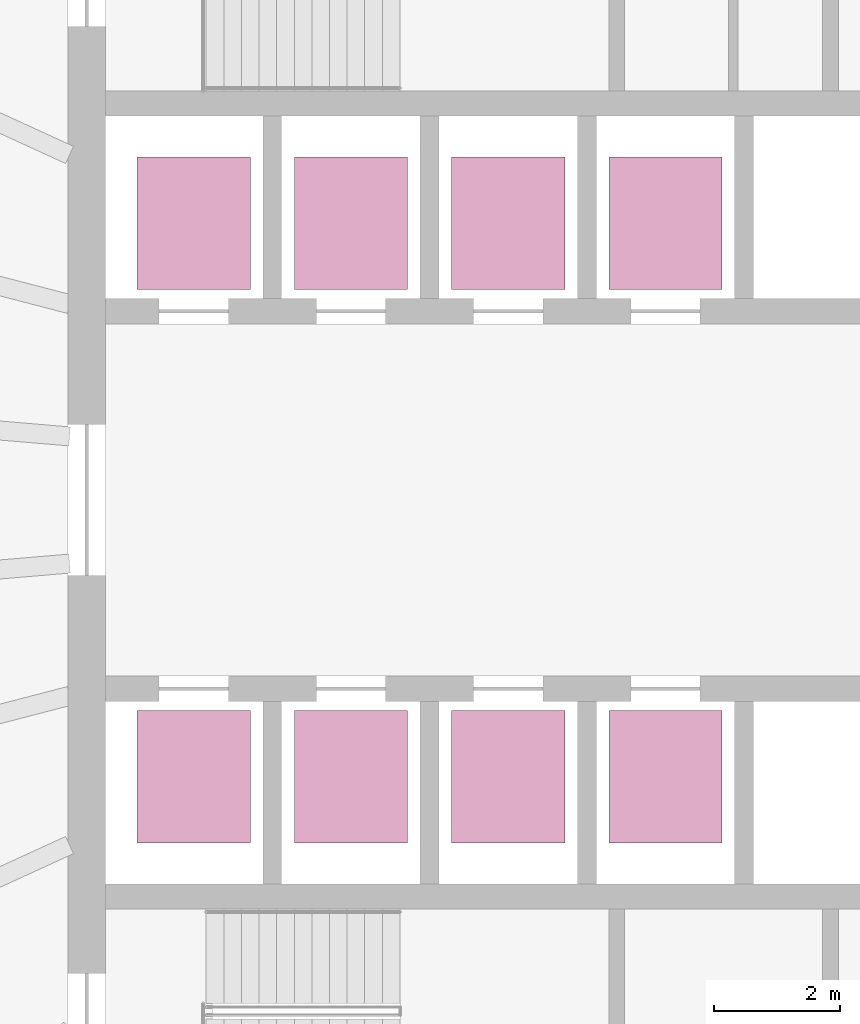
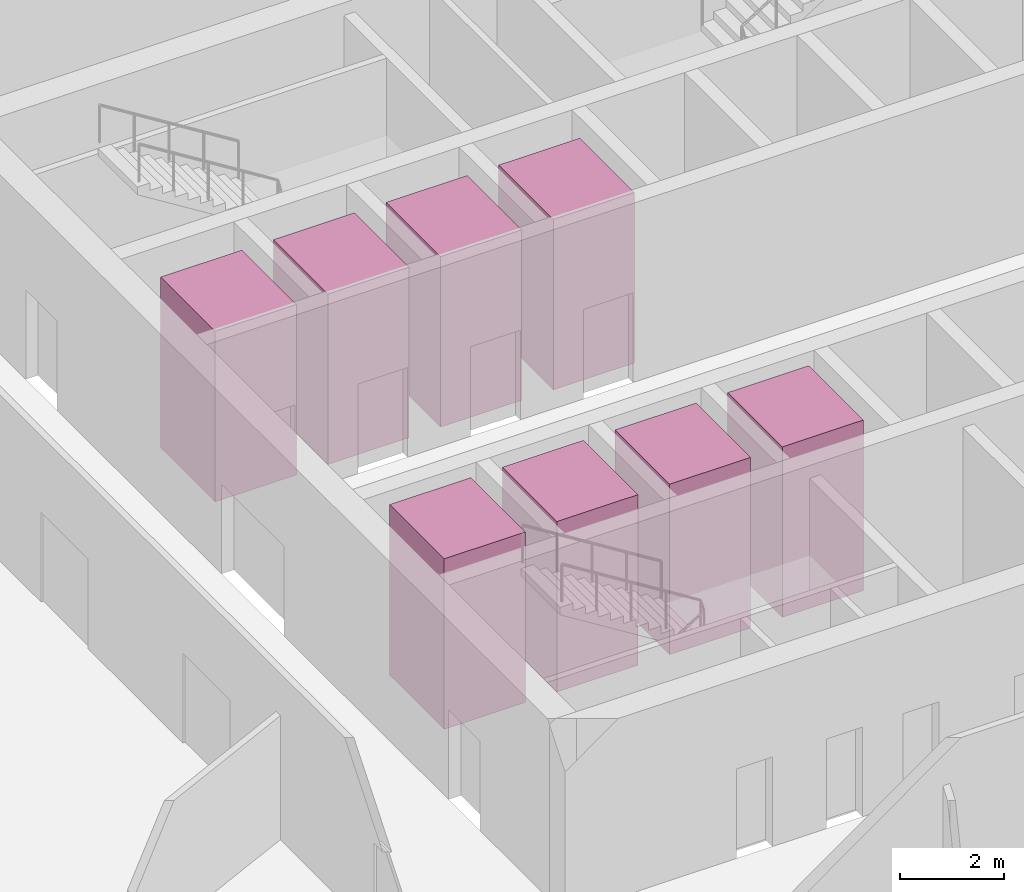
# One storey, part 11 of 11: 8 transport elements.
"""IFC4 building model written with IfcOpenShell, lengths in metres."""

from ifc_helpers import new_model, si_unit, direction, frame, origin, origin_2d, place, context, subcontext, project, spatial, rectangle, extrude, material, type_object, element, save


model = new_model("IFC4")

# Units and contexts
model_context = context("Model", 3, precision=1e-05, world=origin(), true_north=direction((0.0, 1.0)))
body_context = subcontext(model_context, "Body", "Model", "MODEL_VIEW")
ifc_project = project(units=[si_unit("LENGTHUNIT", "METRE"), si_unit("AREAUNIT", "SQUARE_METRE"), si_unit("VOLUMEUNIT", "CUBIC_METRE"), si_unit("PLANEANGLEUNIT", "RADIAN"), si_unit("MASSUNIT", "GRAM", prefix="KILO")], contexts=[model_context])

# Site, building, storey
site_placement = place(None, origin())
site = spatial("IfcSite", under=ifc_project, at=site_placement, CompositionType="ELEMENT")
building_placement = place(site_placement, origin())
building = spatial("IfcBuilding", under=site, at=building_placement, Name="Halqa Exchange Tower", CompositionType="ELEMENT")
storey_placement = place(building_placement, frame((0.0, 0.0, 44.5)))
storey = spatial("IfcBuildingStorey", under=building, at=storey_placement, Name="L09", CompositionType="ELEMENT", Elevation=44.5)

# Transport elements
ifc_material = material(Name="Stainless steel", Category="steel")
transport_element_type = type_object("IfcTransportElementType", Name="Low-rise passenger lift 1800 x 2100", PredefinedType="ELEVATOR", material=ifc_material)
for number, where, z_axis, x_axis, name in (
    (1, (-10.0, 4.39990234375, 0.0), (0.0, 0.0, 1.0), (1.0, 0.0, 0.0), "Low-rise passenger lift LR1"),
    (2, (-7.5, 4.39990234375, 0.0), (0.0, 0.0, 1.0), (1.0, 0.0, 0.0), "Low-rise passenger lift LR2"),
    (3, (-5.0, 4.39990234375, 0.0), (0.0, 0.0, 1.0), (1.0, 0.0, 0.0), "Low-rise passenger lift LR3"),
    (4, (-2.5, 4.39990234375, 0.0), (0.0, 0.0, 1.0), (1.0, 0.0, 0.0), "Low-rise passenger lift LR4"),
    (5, (-10.0, -4.39990234375, 0.0), (0.0, 0.0, 1.0), (1.0, 0.0, 0.0), "Low-rise passenger lift LR5"),
    (6, (-7.5, -4.39990234375, 0.0), (0.0, 0.0, 1.0), (1.0, 0.0, 0.0), "Low-rise passenger lift LR6"),
    (7, (-5.0, -4.39990234375, 0.0), (0.0, 0.0, 1.0), (1.0, 0.0, 0.0), "Low-rise passenger lift LR7"),
    (8, (-2.5, -4.39990234375, 0.0), (0.0, 0.0, 1.0), (1.0, 0.0, 0.0), "Low-rise passenger lift LR8"),
):
    element("IfcTransportElement", number, at=place(storey_placement, frame(where, z_axis=z_axis, x_axis=x_axis)), inside=storey, type_object=transport_element_type, Name=name, PredefinedType="ELEVATOR", context=body_context, shape_type="SweptSolid", body=[
        extrude(rectangle(XDim=1.800048828125, YDim=2.10009765625, at=origin_2d()), origin(), (0.0, 0.0, 1.0), 4.0),
    ])

save(model, "model.ifc")
